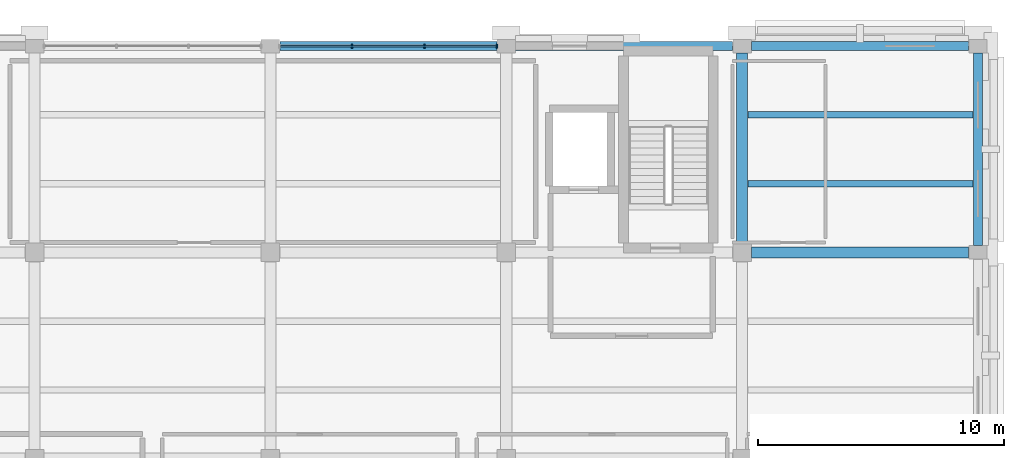
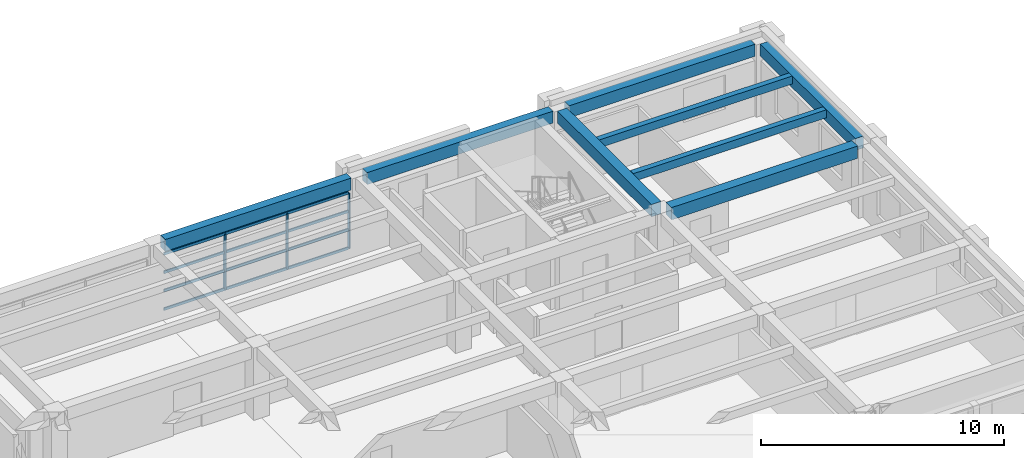
# One storey, part 4 of 11: 8 beams, 7 members, 1 element without a shape of its own.
"""IFC4 building model written with IfcOpenShell, lengths in metres."""

import ifcopenshell
import ifcopenshell.guid

model = None  # the IFC model being written
_history = None  # IfcOwnerHistory: only IFC2X3 demands one
_inside = {}  # id of a spatial element -> (the spatial element, [elements in it])
_under = {}  # id of a project, library or spatial element -> (it, [spatial elements below it])
_declared = {}  # id of a project -> (the project, [libraries it declares])
_typed = {}  # id of a type object -> (the type object, [elements of that type])
_made_of = {}  # id of a material, layer set ... -> (it, [elements and type objects made of it])


def new_model(schema):
    """Start an empty IFC model of exactly this schema.

    Asked for "IFC4X3", IfcOpenShell would pick the latest addendum, in which some entities
    have other attributes; the version numbers below select the first issue.
    IFC2X3 requires an IfcOwnerHistory on every rooted entity: one is made here for all.
    """
    global model, _history
    if schema == "IFC4X3":
        model = ifcopenshell.file(schema_version=(4, 3, 0, 0))
    else:
        model = ifcopenshell.file(schema=schema)
    _inside.clear()
    _under.clear()
    _declared.clear()
    _typed.clear()
    _made_of.clear()
    _history = None
    if model.schema == "IFC2X3":
        org = make("IfcOrganization", Name="unknown")
        user = make(
            "IfcPersonAndOrganization",
            ThePerson=make("IfcPerson", FamilyName="unknown"),
            TheOrganization=org,
        )
        app = make(
            "IfcApplication",
            ApplicationDeveloper=org,
            Version="unknown",
            ApplicationFullName="unknown",
            ApplicationIdentifier="unknown",
        )
        _history = make(
            "IfcOwnerHistory",
            OwningUser=user,
            OwningApplication=app,
            ChangeAction="ADDED",
            CreationDate=0,
        )
    return model


def make(cls, **values):
    """One entity of the class cls with the attributes given. An attribute that is None is left unset."""
    return model.create_entity(
        cls, **{name: value for name, value in values.items() if value is not None}
    )


def rooted(cls, **values):
    """An entity with a GlobalId (a new one), such as an element, a storey or a relation."""
    return make(cls, GlobalId=ifcopenshell.guid.new(), OwnerHistory=_history, **values)


def si_unit(unit_type, name, prefix=None):
    """IfcSIUnit, for example si_unit("LENGTHUNIT", "METRE", prefix="MILLI")."""
    return make("IfcSIUnit", UnitType=unit_type, Prefix=prefix, Name=name)


def assignment(units):
    """IfcUnitAssignment: the units of a project."""
    return None if units is None else make("IfcUnitAssignment", Units=units)


def point(xyz):
    """IfcCartesianPoint."""
    return None if xyz is None else make("IfcCartesianPoint", Coordinates=xyz)


def direction(xyz):
    """IfcDirection."""
    return None if xyz is None else make("IfcDirection", DirectionRatios=xyz)


def frame(location, z_axis=None, x_axis=None):
    """IfcAxis2Placement3D, a coordinate frame: its origin and axes. An axis left out is left unset."""
    return make(
        "IfcAxis2Placement3D",
        Location=point(location),
        Axis=direction(z_axis),
        RefDirection=direction(x_axis),
    )


def frame_2d(location, x_axis=None):
    """IfcAxis2Placement2D, a coordinate frame in the plane: its origin and x axis."""
    return make(
        "IfcAxis2Placement2D", Location=point(location), RefDirection=direction(x_axis)
    )


def origin():
    """The frame at (0, 0, 0) with its axes left unset."""
    return frame((0.0, 0.0, 0.0))


def origin_2d():
    """The frame at (0, 0) in the plane with its x axis left unset."""
    return frame_2d((0.0, 0.0))


def place(relative_to, where):
    """IfcLocalPlacement: puts the frame where relative to a parent placement (None: the world)."""
    return make(
        "IfcLocalPlacement", PlacementRelTo=relative_to, RelativePlacement=where
    )


def context(
    kind, dimensions, precision=None, world=None, true_north=None, identifier=None
):
    """IfcGeometricRepresentationContext, for example the 3D "Model" context."""
    return make(
        "IfcGeometricRepresentationContext",
        ContextIdentifier=identifier,
        ContextType=kind,
        CoordinateSpaceDimension=dimensions,
        Precision=precision,
        WorldCoordinateSystem=world,
        TrueNorth=true_north,
    )


def subcontext(parent, identifier, kind, view, scale=None):
    """IfcGeometricRepresentationSubContext, for example "Body" below "Model"."""
    return make(
        "IfcGeometricRepresentationSubContext",
        ContextIdentifier=identifier,
        ContextType=kind,
        ParentContext=parent,
        TargetScale=scale,
        TargetView=view,
    )


def project(units=None, contexts=None):
    """IfcProject with its units and contexts."""
    return rooted(
        "IfcProject",
        Name="project",
        RepresentationContexts=contexts,
        UnitsInContext=assignment(units),
    )


def spatial(cls, under=None, at=None, **own):
    """A site, building, storey or space (cls), placed at a placement, below another one or the project."""
    s = rooted(cls, ObjectPlacement=at, **own)
    if under is not None:
        _under.setdefault(under.id(), (under, []))[1].append(s)
    return s


def profile(cls, at=None, kind="AREA", **sizes):
    """A parametric profile (cls). Its sizes go by their IFC names, for example OverallWidth=200.0."""
    return make(cls, ProfileType=kind, Position=at, **sizes)


def rectangle(**sizes):
    """IfcRectangleProfileDef."""
    return profile("IfcRectangleProfileDef", **sizes)


def extrude(swept, where, along, depth):
    """IfcExtrudedAreaSolid: the profile swept, set in the frame where, extruded along a direction by depth."""
    return make(
        "IfcExtrudedAreaSolid",
        SweptArea=swept,
        Position=where,
        ExtrudedDirection=direction(along),
        Depth=depth,
    )


def shape(context_of_items, identifier, shape_type, items):
    """IfcShapeRepresentation: the items that make up one representation, for example the "Body"."""
    return make(
        "IfcShapeRepresentation",
        ContextOfItems=context_of_items,
        RepresentationIdentifier=identifier,
        RepresentationType=shape_type,
        Items=items,
    )


def material(Name=None, Category=None):
    """IfcMaterial."""
    return make("IfcMaterial", Name=Name, Category=Category)


def layer(
    of_material, thickness, ventilated=None, Name=None, Category=None, Priority=None
):
    """IfcMaterialLayer: one layer of a wall or slab, of a material (None: an air gap)."""
    return make(
        "IfcMaterialLayer",
        Material=of_material,
        LayerThickness=thickness,
        IsVentilated=ventilated,
        Name=Name,
        Category=Category,
        Priority=Priority,
    )


def layer_set(layers, Name=None):
    """IfcMaterialLayerSet."""
    return make("IfcMaterialLayerSet", MaterialLayers=layers, LayerSetName=Name)


def material_profile(
    of_material, cross_section, Name=None, Category=None, Priority=None
):
    """IfcMaterialProfile: a cross section and its material."""
    return make(
        "IfcMaterialProfile",
        Name=Name,
        Material=of_material,
        Profile=cross_section,
        Priority=Priority,
        Category=Category,
    )


def profile_set(profiles, Name=None, composite=None):
    """IfcMaterialProfileSet."""
    return make(
        "IfcMaterialProfileSet",
        Name=Name,
        MaterialProfiles=profiles,
        CompositeProfile=composite,
    )


def made_of(thing, what):
    """Note that an element or type object is made of a material, layer set ...; save() writes the relation."""
    if what is not None:
        _made_of.setdefault(what.id(), (what, []))[1].append(thing)
    return thing


def type_object(cls, material=None, **own):
    """A type object (cls), such as IfcWallType, which elements share."""
    return made_of(rooted(cls, **own), material)


def element(
    cls,
    number,
    at=None,
    inside=None,
    cuts=None,
    type_object=None,
    material=None,
    context=None,
    identifier="Body",
    shape_type=None,
    held_by="IfcProductDefinitionShape",
    body=None,
    shapes=None,
    **own,
):
    """One element of the class cls, such as IfcWall. Its Tag is "e" and its number.

    at: its placement. inside: the storey or other place that contains it. cuts: it is an
    opening in that element (IfcRelVoidsElement). A single representation is given by context,
    identifier, shape_type and body (its items); several are given by shapes. held_by: the class
    of the entity that holds the representations. save() writes the other relations.
    """
    e = rooted(cls, Tag="e%d" % number, ObjectPlacement=at, **own)
    if body is not None:
        shapes = [shape(context, identifier, shape_type, body)]
    if shapes is not None:
        e.Representation = make(held_by, Representations=shapes)
    if inside is not None:
        _inside.setdefault(inside.id(), (inside, []))[1].append(e)
    if cuts is not None:
        rooted(
            "IfcRelVoidsElement", RelatingBuildingElement=cuts, RelatedOpeningElement=e
        )
    if type_object is not None:
        _typed.setdefault(type_object.id(), (type_object, []))[1].append(e)
    return made_of(e, material)


def aggregate(whole, parts):
    """IfcRelAggregates: a whole, such as a stair, and the parts it consists of."""
    return rooted("IfcRelAggregates", RelatingObject=whole, RelatedObjects=parts)


def save(model, path):
    """Write the relations noted so far, then the file.

    IfcRelAggregates (storeys below a building ...), IfcRelContainedInSpatialStructure (elements
    in a storey), IfcRelDefinesByType, IfcRelAssociatesMaterial and IfcRelDeclares: one each for
    every whole, place, type object, material and project.
    """
    for whole, parts in _under.values():
        aggregate(whole, parts)
    for where, things in _inside.values():
        rooted(
            "IfcRelContainedInSpatialStructure",
            RelatedElements=things,
            RelatingStructure=where,
        )
    for kind, things in _typed.values():
        rooted("IfcRelDefinesByType", RelatedObjects=things, RelatingType=kind)
    for what, things in _made_of.values():
        rooted("IfcRelAssociatesMaterial", RelatedObjects=things, RelatingMaterial=what)
    for by, libraries in _declared.values():
        rooted("IfcRelDeclares", RelatingContext=by, RelatedDefinitions=libraries)
    model.write(path)


model = new_model("IFC4")

# Units and contexts
model_context = context("Model", 3, precision=1e-05, world=origin(), true_north=direction((0.0, 1.0)))
body_context = subcontext(model_context, "Body", "Model", "MODEL_VIEW")
ifc_project = project(units=[si_unit("LENGTHUNIT", "METRE"), si_unit("AREAUNIT", "SQUARE_METRE"), si_unit("VOLUMEUNIT", "CUBIC_METRE"), si_unit("PLANEANGLEUNIT", "RADIAN"), si_unit("MASSUNIT", "GRAM", prefix="KILO")], contexts=[model_context])

# Site, building, storey
site_placement = place(None, origin())
site = spatial("IfcSite", under=ifc_project, at=site_placement, CompositionType="ELEMENT")
building_placement = place(site_placement, origin())
building = spatial("IfcBuilding", under=site, at=building_placement, Name="Bempovik Park Faculty of Sciences", CompositionType="ELEMENT")
storey_placement = place(building_placement, frame((0.0, 0.0, 30.60009765625)))
storey = spatial("IfcBuildingStorey", under=building, at=storey_placement, Name="L07", CompositionType="ELEMENT", Elevation=30.60009765625)

# Beams
ifc_material_1 = material(Name="Concrete C35/45", Category="concrete")
ifc_material_profile_1 = material_profile(ifc_material_1, rectangle(XDim=0.3798828125, YDim=0.60009765625, at=origin_2d()), Name="RC 380x600")
ifc_profile_set_1 = profile_set([ifc_material_profile_1], Name="Concrete C35/45")
beam_type_1 = type_object("IfcBeamType", Name="B-032 RC 380x600", PredefinedType="SPANDREL", material=ifc_profile_set_1)
beam_1_placement = place(storey_placement, frame((89.180908203125, 119.39990234375, 3.31982421875), z_axis=(1.0, 0.0, 0.0), x_axis=(0.0, 1.0, 0.0)))
element("IfcBeam", 1, at=beam_1_placement, inside=storey, type_object=beam_type_1, Name="L07 Beam X (88.8-98.4, y=119.4)", PredefinedType="SPANDREL", context=body_context, shape_type="SweptSolid", body=[
    extrude(rectangle(XDim=0.3798828125, YDim=0.60009765625, at=origin_2d()), origin(), (0.0, 0.0, 1.0), 8.838134765625),
])
for number, where, z_axis, x_axis, name in (
    (2, (98.781005859375, 119.39990234375, 3.31982421875), (1.0, 0.0, 0.0), (0.0, 1.0, 0.0), "L07 Beam X (98.4-108.0, y=119.4)"),
    (3, (108.381103515625, 119.39990234375, 3.31982421875), (1.0, 0.0, 0.0), (0.0, 1.0, 0.0), "L07 Beam X (108.0-117.6, y=119.4)"),
):
    element("IfcBeam", number, at=place(storey_placement, frame(where, z_axis=z_axis, x_axis=x_axis)), inside=storey, type_object=beam_type_1, Name=name, PredefinedType="SPANDREL", context=body_context, shape_type="SweptSolid", body=[
        extrude(rectangle(XDim=0.3798828125, YDim=0.60009765625, at=origin_2d()), origin(), (0.0, 0.0, 1.0), 8.837890625),
    ])
beam_2_placement = place(storey_placement, frame((117.60009765625, 111.281005859375, 3.31982421875), z_axis=(0.0, 1.0, 0.0), x_axis=(-1.0, 0.0, 0.0)))
element("IfcBeam", 4, at=beam_2_placement, inside=storey, type_object=beam_type_1, Name="L07 Beam Y (x=117.6, 111.0-119.4)", PredefinedType="SPANDREL", context=body_context, shape_type="SweptSolid", body=[
    extrude(rectangle(XDim=0.3798828125, YDim=0.60009765625, at=origin_2d()), origin(), (0.0, 0.0, 1.0), 7.837890625),
])
ifc_material_profile_2 = material_profile(ifc_material_1, rectangle(XDim=0.260009765625, YDim=0.39990234375, at=origin_2d()), Name="RC 260x400")
ifc_profile_set_2 = profile_set([ifc_material_profile_2], Name="Concrete C35/45")
beam_type_2 = type_object("IfcBeamType", Name="B-063 RC 260x400", PredefinedType="JOIST", material=ifc_profile_set_2)
for number, where, z_axis, x_axis, name in (
    (5, (108.23095703125, 113.800048828125, 3.419921875), (1.0, 0.0, 0.0), (0.0, 1.0, 0.0), "L07 Secondary Joist (108.0-117.6, y=113.80)"),
    (6, (108.23095703125, 116.60009765625, 3.419921875), (1.0, 0.0, 0.0), (0.0, 1.0, 0.0), "L07 Secondary Joist (108.0-117.6, y=116.60)"),
):
    element("IfcBeam", number, at=place(storey_placement, frame(where, z_axis=z_axis, x_axis=x_axis)), inside=storey, type_object=beam_type_2, Name=name, PredefinedType="JOIST", context=body_context, shape_type="SweptSolid", body=[
        extrude(rectangle(XDim=0.260009765625, YDim=0.39990234375, at=origin_2d()), origin(), (0.0, 0.0, 1.0), 9.173095703125),
    ])
ifc_material_profile_3 = material_profile(ifc_material_1, rectangle(XDim=0.449951171875, YDim=0.6201171875, at=origin_2d()), Name="RC 450x620")
ifc_profile_set_3 = profile_set([ifc_material_profile_3], Name="Concrete C35/45")
beam_type_3 = type_object("IfcBeamType", Name="B-114 RC 450x620", PredefinedType="BEAM", material=ifc_profile_set_3)
beam_3_placement = place(storey_placement, frame((108.381103515625, 111.0, 3.309814453125), z_axis=(1.0, 0.0, 0.0), x_axis=(0.0, 1.0, 0.0)))
element("IfcBeam", 7, at=beam_3_placement, inside=storey, type_object=beam_type_3, Name="L07 Beam X (108.0-117.6, y=111.0)", PredefinedType="BEAM", context=body_context, shape_type="SweptSolid", body=[
    extrude(rectangle(XDim=0.449951171875, YDim=0.6201171875, at=origin_2d()), origin(), (0.0, 0.0, 1.0), 8.837890625),
])
beam_4_placement = place(storey_placement, frame((108.0, 111.381103515625, 3.309814453125), z_axis=(0.0, 1.0, 0.0), x_axis=(-1.0, 0.0, 0.0)))
element("IfcBeam", 8, at=beam_4_placement, inside=storey, type_object=beam_type_3, Name="L07 Beam Y (x=108.0, 111.0-119.4)", PredefinedType="BEAM", context=body_context, shape_type="SweptSolid", body=[
    extrude(rectangle(XDim=0.449951171875, YDim=0.6201171875, at=origin_2d()), origin(), (0.0, 0.0, 1.0), 7.73779296875),
])

# Curtain wall, members
ifc_material_2 = material(Name="Tempered laminated low-E glass", Category="glass")
ifc_layer = layer(ifc_material_2, 0.159912109375)
ifc_layer_set = layer_set([ifc_layer], Name="Tempered laminated low-E glass")
curtain_wall_type = type_object("IfcCurtainWallType", Name="CW-24 Curtain 7000x3500", PredefinedType="USERDEFINED", material=ifc_layer_set)
curtain_wall_placement = place(storey_placement, origin())
curtain_wall = element("IfcCurtainWall", 9, at=curtain_wall_placement, inside=storey, type_object=curtain_wall_type, Name="L07 Unitised Curtain Wall (119.4,88.8)", ObjectType="UNITISED CURTAIN WALL", PredefinedType="USERDEFINED")
ifc_material_3 = material(Name="Anodised architectural bronze", Category="aluminium")
ifc_material_profile_4 = material_profile(ifc_material_3, rectangle(XDim=0.06005859375, YDim=0.159912109375, at=origin_2d()), Name="ALU-M 60x160")
ifc_profile_set_4 = profile_set([ifc_material_profile_4], Name="Anodised architectural bronze")
member_type_1 = type_object("IfcMemberType", Name="ML-21 ALU-M 60x160", PredefinedType="MULLION", material=ifc_profile_set_4)
member_1_placement = place(storey_placement, frame((92.125732421875, 119.39990234375, 0.0), z_axis=(0.0, 0.0, 1.0), x_axis=(1.0, 0.0, 0.0)))
member_1 = element("IfcMember", 10, at=member_1_placement, type_object=member_type_1, Name="CW-BAY-L07-1194-888 Mullion 1", PredefinedType="MULLION", context=body_context, shape_type="SweptSolid", body=[
    extrude(rectangle(XDim=0.06005859375, YDim=0.159912109375, at=origin_2d()), origin(), (0.0, 0.0, 1.0), 2.77978515625),
])
member_2_placement = place(storey_placement, frame((95.07421875, 119.39990234375, 0.0), z_axis=(0.0, 0.0, 1.0), x_axis=(1.0, 0.0, 0.0)))
member_2 = element("IfcMember", 11, at=member_2_placement, type_object=member_type_1, Name="CW-BAY-L07-1194-888 Mullion 2", PredefinedType="MULLION", context=body_context, shape_type="SweptSolid", body=[
    extrude(rectangle(XDim=0.06005859375, YDim=0.159912109375, at=origin_2d()), origin(), (0.0, 0.0, 1.0), 2.77978515625),
])
member_3_placement = place(storey_placement, frame((98.02294921875, 119.39990234375, 0.0), z_axis=(0.0, 0.0, 1.0), x_axis=(1.0, 0.0, 0.0)))
member_3 = element("IfcMember", 12, at=member_3_placement, type_object=member_type_1, Name="CW-BAY-L07-1194-888 Mullion 3", PredefinedType="MULLION", context=body_context, shape_type="SweptSolid", body=[
    extrude(rectangle(XDim=0.06005859375, YDim=0.159912109375, at=origin_2d()), origin(), (0.0, 0.0, 1.0), 2.77978515625),
])
ifc_material_profile_5 = material_profile(ifc_material_3, rectangle(XDim=0.06005859375, YDim=0.1298828125, at=origin_2d()), Name="ALU-T 60x130")
ifc_profile_set_5 = profile_set([ifc_material_profile_5], Name="Anodised architectural bronze")
member_type_2 = type_object("IfcMemberType", Name="TR-25 ALU-T 60x130", PredefinedType="USERDEFINED", material=ifc_profile_set_5)
member_4_placement = place(storey_placement, frame((89.217041015625, 119.39990234375, 0.0), z_axis=(1.0, 0.0, 0.0), x_axis=(0.0, 1.0, 0.0)))
member_4 = element("IfcMember", 13, at=member_4_placement, type_object=member_type_2, Name="CW-BAY-L07-1194-888 Transom 0", ObjectType="TRANSOM", PredefinedType="USERDEFINED", context=body_context, shape_type="SweptSolid", body=[
    extrude(rectangle(XDim=0.06005859375, YDim=0.1298828125, at=origin_2d()), origin(), (0.0, 0.0, 1.0), 8.765869140625),
])
member_5_placement = place(storey_placement, frame((89.217041015625, 119.39990234375, 0.926513671875), z_axis=(1.0, 0.0, 0.0), x_axis=(0.0, 1.0, 0.0)))
member_5 = element("IfcMember", 14, at=member_5_placement, type_object=member_type_2, Name="CW-BAY-L07-1194-888 Transom 1", ObjectType="TRANSOM", PredefinedType="USERDEFINED", context=body_context, shape_type="SweptSolid", body=[
    extrude(rectangle(XDim=0.06005859375, YDim=0.1298828125, at=origin_2d()), origin(), (0.0, 0.0, 1.0), 8.765869140625),
])
member_6_placement = place(storey_placement, frame((89.217041015625, 119.39990234375, 1.853271484375), z_axis=(1.0, 0.0, 0.0), x_axis=(0.0, 1.0, 0.0)))
member_6 = element("IfcMember", 15, at=member_6_placement, type_object=member_type_2, Name="CW-BAY-L07-1194-888 Transom 2", ObjectType="TRANSOM", PredefinedType="USERDEFINED", context=body_context, shape_type="SweptSolid", body=[
    extrude(rectangle(XDim=0.06005859375, YDim=0.1298828125, at=origin_2d()), origin(), (0.0, 0.0, 1.0), 8.765869140625),
])
member_7_placement = place(storey_placement, frame((89.217041015625, 119.39990234375, 2.77978515625), z_axis=(1.0, 0.0, 0.0), x_axis=(0.0, 1.0, 0.0)))
member_7 = element("IfcMember", 16, at=member_7_placement, type_object=member_type_2, Name="CW-BAY-L07-1194-888 Transom 3", ObjectType="TRANSOM", PredefinedType="USERDEFINED", context=body_context, shape_type="SweptSolid", body=[
    extrude(rectangle(XDim=0.06005859375, YDim=0.1298828125, at=origin_2d()), origin(), (0.0, 0.0, 1.0), 8.765869140625),
])
aggregate(curtain_wall, [member_1, member_2, member_3, member_4, member_5, member_6, member_7])

save(model, "model.ifc")
